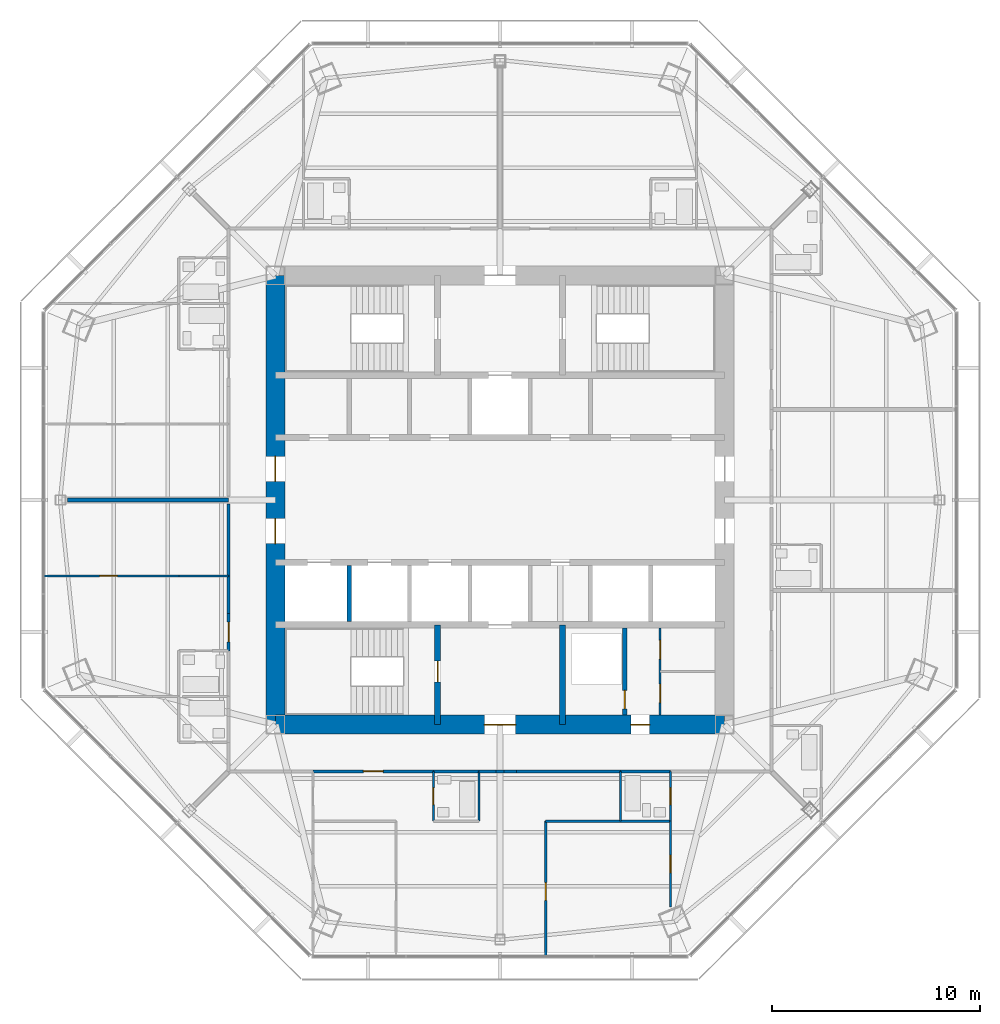
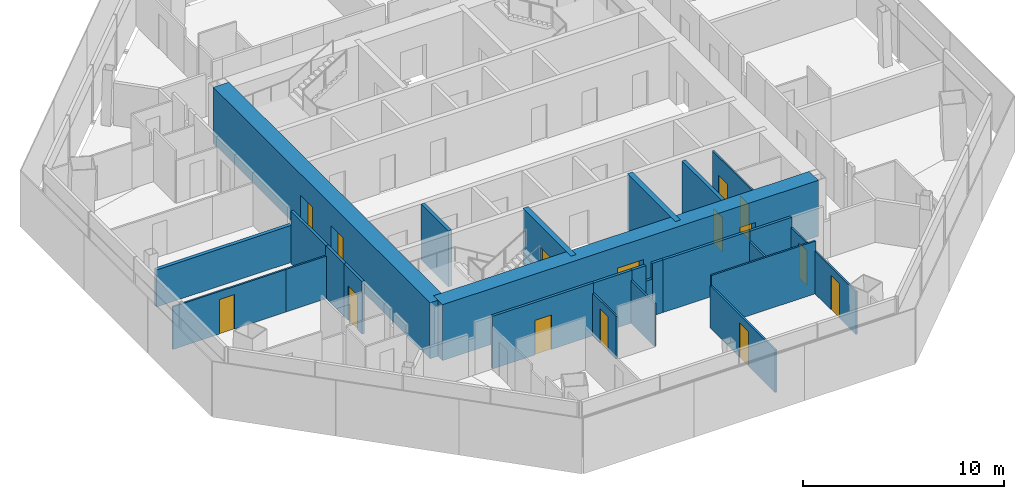
# One storey, part 9 of 15: 27 walls, 15 doors, 15 openings.
"""IFC4 building model written with IfcOpenShell, lengths in metres."""

from ifc_helpers import new_model, si_unit, direction, frame, frame_2d, origin, place, context, subcontext, project, spatial, rectangle, extrude, material, layer, layer_set, type_object, element, fill, save


model = new_model("IFC4")

# Units and contexts
model_context = context("Model", 3, precision=1e-05, world=origin(), true_north=direction((0.0, 1.0)))
body_context = subcontext(model_context, "Body", "Model", "MODEL_VIEW")
ifc_project = project(units=[si_unit("LENGTHUNIT", "METRE"), si_unit("AREAUNIT", "SQUARE_METRE"), si_unit("VOLUMEUNIT", "CUBIC_METRE"), si_unit("PLANEANGLEUNIT", "RADIAN"), si_unit("MASSUNIT", "GRAM", prefix="KILO")], contexts=[model_context])

# Site, building, storey
site_placement = place(None, origin())
site = spatial("IfcSite", under=ifc_project, at=site_placement, CompositionType="ELEMENT")
building_placement = place(site_placement, origin())
building = spatial("IfcBuilding", under=site, at=building_placement, Name="Mashrafa Tower", CompositionType="ELEMENT")
storey_placement = place(building_placement, frame((0.0, 0.0, 214.199951171875)))
storey = spatial("IfcBuildingStorey", under=building, at=storey_placement, Name="L49", CompositionType="ELEMENT", Elevation=214.199951171875)

# Wall
ifc_material_1 = material(Name="Gypsum board on steel studs", Category="steel")
ifc_layer_1 = layer(ifc_material_1, 0.199951171875)
ifc_layer_set_1 = layer_set([ifc_layer_1], Name="Acoustic partition 200 1 hr")
wall_type_1 = type_object("IfcWallType", Name="Acoustic partition 200 1 hr", PredefinedType="PARTITIONING", material=ifc_layer_set_1)
wall_1_placement = place(storey_placement, frame((-20.7900390625, 0.0, 0.0), z_axis=(0.0, 0.0, 1.0), x_axis=(1.0, 0.0, 0.0)))
element("IfcWall", 1, at=wall_1_placement, inside=storey, type_object=wall_type_1, Name="Acoustic wall L49-094", PredefinedType="PARTITIONING", context=body_context, shape_type="SweptSolid", body=[
    extrude(rectangle(XDim=7.739990234375, YDim=0.199951171875, at=frame_2d((3.8701171875, 0.0))), origin(), (0.0, 0.0, 1.0), 2.2529296875),
])

# Wall, opening, door
ifc_material_2 = material(Name="Concrete masonry unit", Category="masonry")
ifc_layer_2 = layer(ifc_material_2, 0.199951171875)
ifc_layer_set_2 = layer_set([ifc_layer_2], Name="Blockwork wall 200 2 hr")
wall_type_2 = type_object("IfcWallType", Name="Blockwork wall 200 2 hr", PredefinedType="PARTITIONING", material=ifc_layer_set_2)
wall_2_placement = place(storey_placement, frame((6.0, -10.35009765625, 0.0), z_axis=(0.0, 0.0, 1.0), x_axis=(0.0, 1.0, 0.0)))
wall_2 = element("IfcWall", 2, at=wall_2_placement, inside=storey, type_object=wall_type_2, Name="Riser enclosure wall L49", PredefinedType="PARTITIONING", context=body_context, shape_type="SweptSolid", body=[
    extrude(rectangle(XDim=4.2001953125, YDim=0.199951171875, at=frame_2d((2.10009765625, 0.0))), origin(), (0.0, 0.0, 1.0), 3.199951171875),
])
opening_1_placement = place(wall_2_placement, frame((0.300048828125, 0.0, 0.0)))
opening_1 = element("IfcOpeningElement", 3, at=opening_1_placement, cuts=wall_2, Name="Opening 49.040", PredefinedType="OPENING", context=body_context, shape_type="SweptSolid", body=[
    extrude(rectangle(XDim=0.89990234375, YDim=2.10009765625, at=frame_2d((0.449951171875, 1.050048828125))), frame((0.0, 0.10986328125, 0.0), z_axis=(0.0, -1.0, 0.0), x_axis=(1.0, 0.0, 0.0)), (0.0, 0.0, 1.0), 0.219970703125),
])
ifc_material_3 = material(Name="Steel door", Category="steel")
door_type_1 = type_object("IfcDoorType", Name="Service door 900 x 2100 90 min", OperationType="USERDEFINED", PredefinedType="DOOR", material=ifc_material_3)
door_1_placement = place(opening_1_placement, origin())
door_1 = element("IfcDoor", 4, at=door_1_placement, inside=storey, type_object=door_type_1, Name="Riser door L49", OperationType="SINGLE_SWING_LEFT", OverallHeight=2.10009765625, OverallWidth=0.89990234375, PredefinedType="DOOR", context=body_context, shape_type="SweptSolid", body=[
    extrude(rectangle(XDim=0.89990234375, YDim=2.10009765625, at=frame_2d((0.449951171875, 1.050048828125))), frame((0.0, 0.02490234375, 0.0), z_axis=(0.0, -1.0, 0.0), x_axis=(1.0, 0.0, 0.0)), (0.0, 0.0, 1.0), 0.050048828125),
])
fill(opening_1, door_1)

ifc_material_4 = material(Name="Concrete C50/60", Category="concrete")
ifc_layer_3 = layer(ifc_material_4, 0.300048828125)
ifc_layer_set_3 = layer_set([ifc_layer_3], Name="Core wall 300 C50/60")
wall_type_3 = type_object("IfcWallType", Name="Core wall 300 C50/60", PredefinedType="SOLIDWALL", material=ifc_layer_set_3)
wall_3_placement = place(storey_placement, frame((-3.0, -6.0, 0.0), z_axis=(0.0, 0.0, 1.0), x_axis=(0.0, -1.0, 0.0)))
wall_3 = element("IfcWall", 5, at=wall_3_placement, inside=storey, type_object=wall_type_3, Name="Core wall CX-SW L49", PredefinedType="SOLIDWALL", context=body_context, shape_type="SweptSolid", body=[
    extrude(rectangle(XDim=4.800048828125, YDim=0.300048828125, at=frame_2d((2.39990234375, 0.0))), origin(), (0.0, 0.0, 1.0), 3.400146484375),
])
opening_2_placement = place(wall_3_placement, frame((1.75, 0.0, 0.0)))
opening_2 = element("IfcOpeningElement", 6, at=opening_2_placement, cuts=wall_3, Name="Opening 49.038", PredefinedType="OPENING", context=body_context, shape_type="SweptSolid", body=[
    extrude(rectangle(XDim=1.0, YDim=2.10009765625, at=frame_2d((0.5, 1.050048828125))), frame((0.0, 0.159912109375, 0.0), z_axis=(0.0, -1.0, 0.0), x_axis=(1.0, 0.0, 0.0)), (0.0, 0.0, 1.0), 0.320068359375),
])
ifc_material_5 = material(Name="Steel door", Category="steel")
door_type_2 = type_object("IfcDoorType", Name="Stair door 1000 x 2100 90 min", OperationType="USERDEFINED", PredefinedType="DOOR", material=ifc_material_5)
door_2_placement = place(opening_2_placement, frame((1.0, 0.0, 0.0), z_axis=(0.0, 0.0, 1.0), x_axis=(-1.0, 0.0, 0.0)))
door_2 = element("IfcDoor", 7, at=door_2_placement, inside=storey, type_object=door_type_2, Name="Stair S3 door L49", OperationType="SINGLE_SWING_RIGHT", OverallHeight=2.10009765625, OverallWidth=1.0, PredefinedType="DOOR", context=body_context, shape_type="SweptSolid", body=[
    extrude(rectangle(XDim=1.0, YDim=2.10009765625, at=frame_2d((0.5, 1.050048828125))), frame((0.0, 0.02490234375, 0.0), z_axis=(0.0, -1.0, 0.0), x_axis=(1.0, 0.0, 0.0)), (0.0, 0.0, 1.0), 0.050048828125),
])
fill(opening_2, door_2)

# Wall
wall_4_placement = place(storey_placement, frame((3.0, -6.0, 0.0), z_axis=(0.0, 0.0, 1.0), x_axis=(0.0, -1.0, 0.0)))
element("IfcWall", 8, at=wall_4_placement, inside=storey, type_object=wall_type_3, Name="Core wall CX-SE L49", PredefinedType="SOLIDWALL", context=body_context, shape_type="SweptSolid", body=[
    extrude(rectangle(XDim=4.800048828125, YDim=0.300048828125, at=frame_2d((2.39990234375, 0.0))), origin(), (0.0, 0.0, 1.0), 3.400146484375),
])

# Wall, openings, doors
ifc_material_6 = material(Name="Concrete C50/60", Category="concrete")
ifc_layer_4 = layer(ifc_material_6, 0.89990234375)
ifc_layer_set_4 = layer_set([ifc_layer_4], Name="Core wall 900 C50/60")
wall_type_4 = type_object("IfcWallType", Name="Core wall 900 C50/60", PredefinedType="SOLIDWALL", material=ifc_layer_set_4)
wall_5_placement = place(storey_placement, frame((-10.800048828125, -10.800048828125, 0.0), z_axis=(0.0, 0.0, 1.0), x_axis=(1.0, 0.0, 0.0)))
wall_5 = element("IfcWall", 9, at=wall_5_placement, inside=storey, type_object=wall_type_4, Name="Core wall CW-S L49", PredefinedType="SOLIDWALL", context=body_context, shape_type="SweptSolid", body=[
    extrude(rectangle(XDim=21.60009765625, YDim=0.89990234375, at=frame_2d((10.800048828125, 0.0))), origin(), (0.0, 0.0, 1.0), 3.400146484375),
])
opening_3_placement = place(wall_5_placement, frame((10.050048828125, 0.0, 0.0)))
opening_3 = element("IfcOpeningElement", 10, at=opening_3_placement, cuts=wall_5, Name="Opening 49.035", PredefinedType="OPENING", context=body_context, shape_type="SweptSolid", body=[
    extrude(rectangle(XDim=1.5, YDim=2.10009765625, at=frame_2d((0.75, 1.050048828125))), frame((0.0, 0.4599609375, 0.0), z_axis=(0.0, -1.0, 0.0), x_axis=(1.0, 0.0, 0.0)), (0.0, 0.0, 1.0), 0.919921875),
])
opening_4_placement = place(wall_5_placement, frame((17.10009765625, 0.0, 0.0)))
opening_4 = element("IfcOpeningElement", 11, at=opening_4_placement, cuts=wall_5, Name="Opening 49.039", PredefinedType="OPENING", context=body_context, shape_type="SweptSolid", body=[
    extrude(rectangle(XDim=0.89990234375, YDim=2.10009765625, at=frame_2d((0.449951171875, 1.050048828125))), frame((0.0, 0.4599609375, 0.0), z_axis=(0.0, -1.0, 0.0), x_axis=(1.0, 0.0, 0.0)), (0.0, 0.0, 1.0), 0.919921875),
])
ifc_material_7 = material(Name="Steel door", Category="steel")
door_type_3 = type_object("IfcDoorType", Name="Lobby door pair 1500 x 2100 90 min", OperationType="DOUBLE_DOOR_SINGLE_SWING", PredefinedType="DOOR", material=ifc_material_7)
door_3_placement = place(opening_3_placement, origin())
door_3 = element("IfcDoor", 12, at=door_3_placement, inside=storey, type_object=door_type_3, Name="Fire-fighting lobby F2 door L49", OperationType="DOUBLE_DOOR_SINGLE_SWING", OverallHeight=2.10009765625, OverallWidth=1.5, PredefinedType="DOOR", context=body_context, shape_type="SweptSolid", body=[
    extrude(rectangle(XDim=1.5, YDim=2.10009765625, at=frame_2d((0.75, 1.050048828125))), frame((0.0, 0.02490234375, 0.0), z_axis=(0.0, -1.0, 0.0), x_axis=(1.0, 0.0, 0.0)), (0.0, 0.0, 1.0), 0.050048828125),
])
fill(opening_3, door_3)
door_4_placement = place(opening_4_placement, frame((0.89990234375, 0.0, 0.0), z_axis=(0.0, 0.0, 1.0), x_axis=(-1.0, 0.0, 0.0)))
door_4 = element("IfcDoor", 13, at=door_4_placement, inside=storey, type_object=door_type_1, Name="Services Lobby L49 door", OperationType="SINGLE_SWING_LEFT", OverallHeight=2.10009765625, OverallWidth=0.89990234375, PredefinedType="DOOR", context=body_context, shape_type="SweptSolid", body=[
    extrude(rectangle(XDim=0.89990234375, YDim=2.10009765625, at=frame_2d((0.449951171875, 1.050048828125))), frame((0.0, 0.02490234375, 0.0), z_axis=(0.0, -1.0, 0.0), x_axis=(1.0, 0.0, 0.0)), (0.0, 0.0, 1.0), 0.050048828125),
])
fill(opening_4, door_4)

wall_6_placement = place(storey_placement, frame((-10.800048828125, 10.800048828125, 0.0), z_axis=(0.0, 0.0, 1.0), x_axis=(0.0, -1.0, 0.0)))
wall_6 = element("IfcWall", 14, at=wall_6_placement, inside=storey, type_object=wall_type_4, Name="Core wall CW-W L49", PredefinedType="SOLIDWALL", context=body_context, shape_type="SweptSolid", body=[
    extrude(rectangle(XDim=21.60009765625, YDim=0.89990234375, at=frame_2d((10.800048828125, 0.0))), origin(), (0.0, 0.0, 1.0), 3.400146484375),
])
opening_5_placement = place(wall_6_placement, frame((8.699951171875, 0.0, 0.0)))
opening_5 = element("IfcOpeningElement", 15, at=opening_5_placement, cuts=wall_6, Name="Opening 49.031", PredefinedType="OPENING", context=body_context, shape_type="SweptSolid", body=[
    extrude(rectangle(XDim=1.199951171875, YDim=2.10009765625, at=frame_2d((0.60009765625, 1.050048828125))), frame((0.0, 0.4599609375, 0.0), z_axis=(0.0, -1.0, 0.0), x_axis=(1.0, 0.0, 0.0)), (0.0, 0.0, 1.0), 0.919921875),
])
opening_6_placement = place(wall_6_placement, frame((11.699951171875, 0.0, 0.0)))
opening_6 = element("IfcOpeningElement", 16, at=opening_6_placement, cuts=wall_6, Name="Opening 49.033", PredefinedType="OPENING", context=body_context, shape_type="SweptSolid", body=[
    extrude(rectangle(XDim=1.199951171875, YDim=2.10009765625, at=frame_2d((0.60009765625, 1.050048828125))), frame((0.0, 0.4599609375, 0.0), z_axis=(0.0, -1.0, 0.0), x_axis=(1.0, 0.0, 0.0)), (0.0, 0.0, 1.0), 0.919921875),
])
ifc_material_8 = material(Name="Steel door", Category="steel")
door_type_4 = type_object("IfcDoorType", Name="Lift hall door 1200 x 2100 90 min", OperationType="USERDEFINED", PredefinedType="DOOR", material=ifc_material_8)
door_5_placement = place(opening_5_placement, frame((1.199951171875, 0.0, 0.0), z_axis=(0.0, 0.0, 1.0), x_axis=(-1.0, 0.0, 0.0)))
door_5 = element("IfcDoor", 17, at=door_5_placement, inside=storey, type_object=door_type_4, Name="Lift hall door west L49", OperationType="SINGLE_SWING_RIGHT", OverallHeight=2.10009765625, OverallWidth=1.199951171875, PredefinedType="DOOR", context=body_context, shape_type="SweptSolid", body=[
    extrude(rectangle(XDim=1.199951171875, YDim=2.10009765625, at=frame_2d((0.60009765625, 1.050048828125))), frame((0.0, 0.02490234375, 0.0), z_axis=(0.0, -1.0, 0.0), x_axis=(1.0, 0.0, 0.0)), (0.0, 0.0, 1.0), 0.050048828125),
])
fill(opening_5, door_5)
door_6_placement = place(opening_6_placement, frame((1.199951171875, 0.0, 0.0), z_axis=(0.0, 0.0, 1.0), x_axis=(-1.0, 0.0, 0.0)))
door_6 = element("IfcDoor", 18, at=door_6_placement, inside=storey, type_object=door_type_4, Name="Lift hall door west L49", OperationType="SINGLE_SWING_LEFT", OverallHeight=2.10009765625, OverallWidth=1.199951171875, PredefinedType="DOOR", context=body_context, shape_type="SweptSolid", body=[
    extrude(rectangle(XDim=1.199951171875, YDim=2.10009765625, at=frame_2d((0.60009765625, 1.050048828125))), frame((0.0, 0.02490234375, 0.0), z_axis=(0.0, -1.0, 0.0), x_axis=(1.0, 0.0, 0.0)), (0.0, 0.0, 1.0), 0.050048828125),
])
fill(opening_6, door_6)

# Walls
ifc_material_9 = material(Name="Gypsum board on steel studs", Category="steel")
ifc_layer_5 = layer(ifc_material_9, 0.14990234375)
ifc_layer_set_5 = layer_set([ifc_layer_5], Name="Corridor partition 150 1 hr")
wall_type_5 = type_object("IfcWallType", Name="Corridor partition 150 1 hr", PredefinedType="PARTITIONING", material=ifc_layer_set_5)
wall_7_placement = place(storey_placement, frame((-13.050048828125, -3.64892578125, 0.0), z_axis=(0.0, 0.0, 1.0), x_axis=(0.0, -1.0, 0.0)))
element("IfcWall", 19, at=wall_7_placement, inside=storey, type_object=wall_type_5, Name="Corridor wall L49-045", PredefinedType="PARTITIONING", context=body_context, shape_type="SweptSolid", body=[
    extrude(rectangle(XDim=1.802001953125, YDim=0.14990234375, at=frame_2d((0.90087890625, 0.0))), origin(), (0.0, 0.0, 1.0), 3.199951171875),
])
wall_8_placement = place(storey_placement, frame((-13.050048828125, -0.18359375, 0.0), z_axis=(0.0, 0.0, 1.0), x_axis=(0.0, -1.0, 0.0)))
element("IfcWall", 20, at=wall_8_placement, inside=storey, type_object=wall_type_5, Name="Corridor wall L49-046", PredefinedType="PARTITIONING", context=body_context, shape_type="SweptSolid", body=[
    extrude(rectangle(XDim=3.46728515625, YDim=0.14990234375, at=frame_2d((1.733642578125, 0.0))), origin(), (0.0, 0.0, 1.0), 3.199951171875),
])

# Wall, opening, door
wall_9_placement = place(storey_placement, frame((-13.050048828125, -5.448974609375, 0.0), z_axis=(0.0, 0.0, 1.0), x_axis=(0.0, -1.0, 0.0)))
wall_9 = element("IfcWall", 21, at=wall_9_placement, inside=storey, type_object=wall_type_5, Name="Corridor wall L49-047", PredefinedType="PARTITIONING", context=body_context, shape_type="SweptSolid", body=[
    extrude(rectangle(XDim=1.802001953125, YDim=0.14990234375, at=frame_2d((0.90087890625, 0.0))), origin(), (0.0, 0.0, 1.0), 3.199951171875),
])
opening_7_placement = place(wall_9_placement, frame((0.426025390625, 0.0, 0.0)))
opening_7 = element("IfcOpeningElement", 22, at=opening_7_placement, cuts=wall_9, Name="Opening 49.022", PredefinedType="OPENING", context=body_context, shape_type="SweptSolid", body=[
    extrude(rectangle(XDim=0.949951171875, YDim=2.10009765625, at=frame_2d((0.47509765625, 1.050048828125))), frame((0.0, 0.0849609375, 0.0), z_axis=(0.0, -1.0, 0.0), x_axis=(1.0, 0.0, 0.0)), (0.0, 0.0, 1.0), 0.169921875),
])
ifc_material_10 = material(Name="Steel door", Category="steel")
door_type_5 = type_object("IfcDoorType", Name="Residence entrance door 950 x 2100 20 min", OperationType="USERDEFINED", PredefinedType="DOOR", material=ifc_material_10)
door_7_placement = place(opening_7_placement, frame((0.949951171875, 0.0, 0.0), z_axis=(0.0, 0.0, 1.0), x_axis=(-1.0, 0.0, 0.0)))
door_7 = element("IfcDoor", 23, at=door_7_placement, inside=storey, type_object=door_type_5, Name="Apartment 4907 Living Room door", OperationType="SINGLE_SWING_RIGHT", OverallHeight=2.10009765625, OverallWidth=0.949951171875, PredefinedType="DOOR", context=body_context, shape_type="SweptSolid", body=[
    extrude(rectangle(XDim=0.949951171875, YDim=2.10009765625, at=frame_2d((0.47509765625, 1.050048828125))), frame((0.0, 0.02490234375, 0.0), z_axis=(0.0, -1.0, 0.0), x_axis=(1.0, 0.0, 0.0)), (0.0, 0.0, 1.0), 0.050048828125),
])
fill(opening_7, door_7)

# Walls
wall_10_placement = place(storey_placement, frame((-3.200927734375, -13.050048828125, 0.0), z_axis=(0.0, 0.0, 1.0), x_axis=(1.0, 0.0, 0.0)))
element("IfcWall", 24, at=wall_10_placement, inside=storey, type_object=wall_type_5, Name="Corridor wall L49-051", PredefinedType="PARTITIONING", context=body_context, shape_type="SweptSolid", body=[
    extrude(rectangle(XDim=2.201904296875, YDim=0.14990234375, at=frame_2d((1.10107421875, 0.0))), origin(), (0.0, 0.0, 1.0), 3.199951171875),
])
wall_11_placement = place(storey_placement, frame((-1.0009765625, -13.050048828125, 0.0), z_axis=(0.0, 0.0, 1.0), x_axis=(1.0, 0.0, 0.0)))
element("IfcWall", 25, at=wall_11_placement, inside=storey, type_object=wall_type_5, Name="Corridor wall L49-052", PredefinedType="PARTITIONING", context=body_context, shape_type="SweptSolid", body=[
    extrude(rectangle(XDim=0.8173828125, YDim=0.14990234375, at=frame_2d((0.40869140625, 0.0))), origin(), (0.0, 0.0, 1.0), 3.199951171875),
])
wall_12_placement = place(storey_placement, frame((0.18359375, -13.050048828125, 0.0), z_axis=(0.0, 0.0, 1.0), x_axis=(1.0, 0.0, 0.0)))
element("IfcWall", 26, at=wall_12_placement, inside=storey, type_object=wall_type_5, Name="Corridor wall L49-053", PredefinedType="PARTITIONING", context=body_context, shape_type="SweptSolid", body=[
    extrude(rectangle(XDim=0.617431640625, YDim=0.14990234375, at=frame_2d((0.30859375, 0.0))), origin(), (0.0, 0.0, 1.0), 3.199951171875),
])
wall_13_placement = place(storey_placement, frame((-0.18359375, -13.050048828125, 0.0), z_axis=(0.0, 0.0, 1.0), x_axis=(1.0, 0.0, 0.0)))
element("IfcWall", 27, at=wall_13_placement, inside=storey, type_object=wall_type_5, Name="Corridor wall L49-054", PredefinedType="PARTITIONING", context=body_context, shape_type="SweptSolid", body=[
    extrude(rectangle(XDim=0.3671875, YDim=0.14990234375, at=frame_2d((0.18359375, 0.0))), origin(), (0.0, 0.0, 1.0), 2.2529296875),
])
wall_14_placement = place(storey_placement, frame((5.799072265625, -13.050048828125, 0.0), z_axis=(0.0, 0.0, 1.0), x_axis=(1.0, 0.0, 0.0)))
element("IfcWall", 28, at=wall_14_placement, inside=storey, type_object=wall_type_5, Name="Corridor wall L49-055", PredefinedType="PARTITIONING", context=body_context, shape_type="SweptSolid", body=[
    extrude(rectangle(XDim=2.40185546875, YDim=0.14990234375, at=frame_2d((1.200927734375, 0.0))), origin(), (0.0, 0.0, 1.0), 3.199951171875),
])

# Wall, opening, door
wall_15_placement = place(storey_placement, frame((-9.0009765625, -13.050048828125, 0.0), z_axis=(0.0, 0.0, 1.0), x_axis=(1.0, 0.0, 0.0)))
wall_15 = element("IfcWall", 29, at=wall_15_placement, inside=storey, type_object=wall_type_5, Name="Corridor wall L49-059", PredefinedType="PARTITIONING", context=body_context, shape_type="SweptSolid", body=[
    extrude(rectangle(XDim=5.802001953125, YDim=0.14990234375, at=frame_2d((2.90087890625, 0.0))), origin(), (0.0, 0.0, 1.0), 3.199951171875),
])
opening_8_placement = place(wall_15_placement, frame((2.426025390625, 0.0, 0.0)))
opening_8 = element("IfcOpeningElement", 30, at=opening_8_placement, cuts=wall_15, Name="Opening 49.028", PredefinedType="OPENING", context=body_context, shape_type="SweptSolid", body=[
    extrude(rectangle(XDim=0.949951171875, YDim=2.10009765625, at=frame_2d((0.47509765625, 1.050048828125))), frame((0.0, 0.0849609375, 0.0), z_axis=(0.0, -1.0, 0.0), x_axis=(1.0, 0.0, 0.0)), (0.0, 0.0, 1.0), 0.169921875),
])
door_8_placement = place(opening_8_placement, frame((0.949951171875, 0.0, 0.0), z_axis=(0.0, 0.0, 1.0), x_axis=(-1.0, 0.0, 0.0)))
door_8 = element("IfcDoor", 31, at=door_8_placement, inside=storey, type_object=door_type_5, Name="Apartment 4908 Living Room door", OperationType="SINGLE_SWING_RIGHT", OverallHeight=2.10009765625, OverallWidth=0.949951171875, PredefinedType="DOOR", context=body_context, shape_type="SweptSolid", body=[
    extrude(rectangle(XDim=0.949951171875, YDim=2.10009765625, at=frame_2d((0.47509765625, 1.050048828125))), frame((0.0, 0.02490234375, 0.0), z_axis=(0.0, -1.0, 0.0), x_axis=(1.0, 0.0, 0.0)), (0.0, 0.0, 1.0), 0.050048828125),
])
fill(opening_8, door_8)

# Walls
wall_16_placement = place(storey_placement, frame((0.799072265625, -13.050048828125, 0.0), z_axis=(0.0, 0.0, 1.0), x_axis=(1.0, 0.0, 0.0)))
element("IfcWall", 32, at=wall_16_placement, inside=storey, type_object=wall_type_5, Name="Corridor wall L49-060", PredefinedType="PARTITIONING", context=body_context, shape_type="SweptSolid", body=[
    extrude(rectangle(XDim=5.001953125, YDim=0.14990234375, at=frame_2d((2.5009765625, 0.0))), origin(), (0.0, 0.0, 1.0), 3.199951171875),
])
ifc_material_11 = material(Name="Gypsum board on steel studs", Category="steel")
ifc_layer_6 = layer(ifc_material_11, 0.10009765625)
ifc_layer_set_6 = layer_set([ifc_layer_6], Name="Partition 100")
wall_type_6 = type_object("IfcWallType", Name="Partition 100", PredefinedType="PARTITIONING", material=ifc_layer_set_6)
wall_17_placement = place(storey_placement, frame((-13.050048828125, -3.64990234375, 0.0), z_axis=(0.0, 0.0, 1.0), x_axis=(-1.0, 0.0, 0.0)))
element("IfcWall", 33, at=wall_17_placement, inside=storey, type_object=wall_type_6, Name="Partition wall L49-104", PredefinedType="PARTITIONING", context=body_context, shape_type="SweptSolid", body=[
    extrude(rectangle(XDim=2.39990234375, YDim=0.10009765625, at=frame_2d((1.199951171875, 0.0))), origin(), (0.0, 0.0, 1.0), 2.590576171875),
])

# Wall, opening, door
wall_18_placement = place(storey_placement, frame((-21.939208984375, -3.64990234375, 0.0), z_axis=(0.0, 0.0, 1.0), x_axis=(1.0, 0.0, 0.0)))
wall_18 = element("IfcWall", 34, at=wall_18_placement, inside=storey, type_object=wall_type_6, Name="Partition wall L49-105", PredefinedType="PARTITIONING", context=body_context, shape_type="SweptSolid", body=[
    extrude(rectangle(XDim=6.490234375, YDim=0.10009765625, at=frame_2d((3.2451171875, 0.0))), origin(), (0.0, 0.0, 1.0), 2.590576171875),
])
opening_9_placement = place(wall_18_placement, frame((2.68212890625, 0.0, 0.0)))
opening_9 = element("IfcOpeningElement", 35, at=opening_9_placement, cuts=wall_18, Name="Opening 49.021", PredefinedType="OPENING", context=body_context, shape_type="SweptSolid", body=[
    extrude(rectangle(XDim=0.85009765625, YDim=2.10009765625, at=frame_2d((0.425048828125, 1.050048828125))), frame((0.0, 0.06005859375, 0.0), z_axis=(0.0, -1.0, 0.0), x_axis=(1.0, 0.0, 0.0)), (0.0, 0.0, 1.0), 0.1201171875),
])
ifc_material_12 = material(Name="Timber door", Category="wood")
door_type_6 = type_object("IfcDoorType", Name="Bedroom door 850 x 2100", OperationType="USERDEFINED", PredefinedType="DOOR", material=ifc_material_12)
door_9_placement = place(opening_9_placement, origin())
door_9 = element("IfcDoor", 36, at=door_9_placement, inside=storey, type_object=door_type_6, Name="Apartment 4907 Bedroom 2 door", OperationType="SINGLE_SWING_LEFT", OverallHeight=2.10009765625, OverallWidth=0.85009765625, PredefinedType="DOOR", context=body_context, shape_type="SweptSolid", body=[
    extrude(rectangle(XDim=0.85009765625, YDim=2.10009765625, at=frame_2d((0.425048828125, 1.050048828125))), frame((0.0, 0.02490234375, 0.0), z_axis=(0.0, -1.0, 0.0), x_axis=(1.0, 0.0, 0.0)), (0.0, 0.0, 1.0), 0.050048828125),
])
fill(opening_9, door_9)

# Wall
wall_19_placement = place(storey_placement, frame((-1.0, -15.449951171875, 0.0), z_axis=(0.0, 0.0, 1.0), x_axis=(0.0, 1.0, 0.0)))
element("IfcWall", 37, at=wall_19_placement, inside=storey, type_object=wall_type_6, Name="Partition wall L49-113", PredefinedType="PARTITIONING", context=body_context, shape_type="SweptSolid", body=[
    extrude(rectangle(XDim=2.39990234375, YDim=0.10009765625, at=frame_2d((1.199951171875, 0.0))), origin(), (0.0, 0.0, 1.0), 2.590576171875),
])

# Wall, opening, door
wall_20_placement = place(storey_placement, frame((-3.199951171875, -13.050048828125, 0.0), z_axis=(0.0, 0.0, 1.0), x_axis=(0.0, -1.0, 0.0)))
wall_20 = element("IfcWall", 38, at=wall_20_placement, inside=storey, type_object=wall_type_6, Name="Partition wall L49-114", PredefinedType="PARTITIONING", context=body_context, shape_type="SweptSolid", body=[
    extrude(rectangle(XDim=2.39990234375, YDim=0.10009765625, at=frame_2d((1.199951171875, 0.0))), origin(), (0.0, 0.0, 1.0), 2.590576171875),
])
opening_10_placement = place(wall_20_placement, frame((0.800048828125, 0.0, 0.0)))
opening_10 = element("IfcOpeningElement", 39, at=opening_10_placement, cuts=wall_20, Name="Opening 49.025", PredefinedType="OPENING", context=body_context, shape_type="SweptSolid", body=[
    extrude(rectangle(XDim=0.800048828125, YDim=2.10009765625, at=frame_2d((0.39990234375, 1.050048828125))), frame((0.0, 0.06005859375, 0.0), z_axis=(0.0, -1.0, 0.0), x_axis=(1.0, 0.0, 0.0)), (0.0, 0.0, 1.0), 0.1201171875),
])
ifc_material_13 = material(Name="Timber door", Category="wood")
door_type_7 = type_object("IfcDoorType", Name="Bathroom door 800 x 2100", OperationType="USERDEFINED", PredefinedType="DOOR", material=ifc_material_13)
door_10_placement = place(opening_10_placement, origin())
door_10 = element("IfcDoor", 40, at=door_10_placement, inside=storey, type_object=door_type_7, Name="Apartment 4908 Bathroom door", OperationType="SINGLE_SWING_RIGHT", OverallHeight=2.10009765625, OverallWidth=0.800048828125, PredefinedType="DOOR", context=body_context, shape_type="SweptSolid", body=[
    extrude(rectangle(XDim=0.800048828125, YDim=2.10009765625, at=frame_2d((0.39990234375, 1.050048828125))), frame((0.0, 0.02490234375, 0.0), z_axis=(0.0, -1.0, 0.0), x_axis=(1.0, 0.0, 0.0)), (0.0, 0.0, 1.0), 0.050048828125),
])
fill(opening_10, door_10)

wall_21_placement = place(storey_placement, frame((8.199951171875, -15.449951171875, 0.0), z_axis=(0.0, 0.0, 1.0), x_axis=(0.0, 1.0, 0.0)))
wall_21 = element("IfcWall", 41, at=wall_21_placement, inside=storey, type_object=wall_type_6, Name="Partition wall L49-116", PredefinedType="PARTITIONING", context=body_context, shape_type="SweptSolid", body=[
    extrude(rectangle(XDim=2.39990234375, YDim=0.10009765625, at=frame_2d((1.199951171875, 0.0))), origin(), (0.0, 0.0, 1.0), 2.590576171875),
])
opening_11_placement = place(wall_21_placement, frame((0.800048828125, 0.0, 0.0)))
opening_11 = element("IfcOpeningElement", 42, at=opening_11_placement, cuts=wall_21, Name="Opening 49.026", PredefinedType="OPENING", context=body_context, shape_type="SweptSolid", body=[
    extrude(rectangle(XDim=0.800048828125, YDim=2.10009765625, at=frame_2d((0.39990234375, 1.050048828125))), frame((0.0, 0.06005859375, 0.0), z_axis=(0.0, -1.0, 0.0), x_axis=(1.0, 0.0, 0.0)), (0.0, 0.0, 1.0), 0.1201171875),
])
door_11_placement = place(opening_11_placement, origin())
door_11 = element("IfcDoor", 43, at=door_11_placement, inside=storey, type_object=door_type_7, Name="Apartment 4908 En-suite Bathroom door", OperationType="SINGLE_SWING_RIGHT", OverallHeight=2.10009765625, OverallWidth=0.800048828125, PredefinedType="DOOR", context=body_context, shape_type="SweptSolid", body=[
    extrude(rectangle(XDim=0.800048828125, YDim=2.10009765625, at=frame_2d((0.39990234375, 1.050048828125))), frame((0.0, 0.02490234375, 0.0), z_axis=(0.0, -1.0, 0.0), x_axis=(1.0, 0.0, 0.0)), (0.0, 0.0, 1.0), 0.050048828125),
])
fill(opening_11, door_11)

# Walls
wall_22_placement = place(storey_placement, frame((5.800048828125, -13.050048828125, 0.0), z_axis=(0.0, 0.0, 1.0), x_axis=(0.0, -1.0, 0.0)))
element("IfcWall", 44, at=wall_22_placement, inside=storey, type_object=wall_type_6, Name="Partition wall L49-117", PredefinedType="PARTITIONING", context=body_context, shape_type="SweptSolid", body=[
    extrude(rectangle(XDim=2.39990234375, YDim=0.10009765625, at=frame_2d((1.199951171875, 0.0))), origin(), (0.0, 0.0, 1.0), 2.590576171875),
])
wall_23_placement = place(storey_placement, frame((8.199951171875, -15.449951171875, 0.0), z_axis=(0.0, 0.0, 1.0), x_axis=(-1.0, 0.0, 0.0)))
element("IfcWall", 45, at=wall_23_placement, inside=storey, type_object=wall_type_6, Name="Partition wall L49-118", PredefinedType="PARTITIONING", context=body_context, shape_type="SweptSolid", body=[
    extrude(rectangle(XDim=6.0, YDim=0.10009765625, at=frame_2d((3.0, 0.0))), origin(), (0.0, 0.0, 1.0), 3.199951171875),
])

# Wall, opening, door
wall_24_placement = place(storey_placement, frame((8.199951171875, -15.448974609375, 0.0), z_axis=(0.0, 0.0, 1.0), x_axis=(0.0, -1.0, 0.0)))
wall_24 = element("IfcWall", 46, at=wall_24_placement, inside=storey, type_object=wall_type_6, Name="Partition wall L49-119", PredefinedType="PARTITIONING", context=body_context, shape_type="SweptSolid", body=[
    extrude(rectangle(XDim=4.127685546875, YDim=0.10009765625, at=frame_2d((2.06396484375, 0.0))), origin(), (0.0, 0.0, 1.0), 2.590576171875),
])
opening_12_placement = place(wall_24_placement, frame((1.638916015625, 0.0, 0.0)))
opening_12 = element("IfcOpeningElement", 47, at=opening_12_placement, cuts=wall_24, Name="Opening 49.027", PredefinedType="OPENING", context=body_context, shape_type="SweptSolid", body=[
    extrude(rectangle(XDim=0.85009765625, YDim=2.10009765625, at=frame_2d((0.425048828125, 1.050048828125))), frame((0.0, 0.06005859375, 0.0), z_axis=(0.0, -1.0, 0.0), x_axis=(1.0, 0.0, 0.0)), (0.0, 0.0, 1.0), 0.1201171875),
])
door_12_placement = place(opening_12_placement, origin())
door_12 = element("IfcDoor", 48, at=door_12_placement, inside=storey, type_object=door_type_6, Name="Apartment 4908 Bedroom 3 door", OperationType="SINGLE_SWING_RIGHT", OverallHeight=2.10009765625, OverallWidth=0.85009765625, PredefinedType="DOOR", context=body_context, shape_type="SweptSolid", body=[
    extrude(rectangle(XDim=0.85009765625, YDim=2.10009765625, at=frame_2d((0.425048828125, 1.050048828125))), frame((0.0, 0.02490234375, 0.0), z_axis=(0.0, -1.0, 0.0), x_axis=(1.0, 0.0, 0.0)), (0.0, 0.0, 1.0), 0.050048828125),
])
fill(opening_12, door_12)

wall_25_placement = place(storey_placement, frame((2.199951171875, -21.939208984375, 0.0), z_axis=(0.0, 0.0, 1.0), x_axis=(0.0, 1.0, 0.0)))
wall_25 = element("IfcWall", 49, at=wall_25_placement, inside=storey, type_object=wall_type_6, Name="Partition wall L49-121", PredefinedType="PARTITIONING", context=body_context, shape_type="SweptSolid", body=[
    extrude(rectangle(XDim=6.4892578125, YDim=0.10009765625, at=frame_2d((3.24462890625, 0.0))), origin(), (0.0, 0.0, 1.0), 2.590576171875),
])
opening_13_placement = place(wall_25_placement, frame((2.681640625, 0.0, 0.0)))
opening_13 = element("IfcOpeningElement", 50, at=opening_13_placement, cuts=wall_25, Name="Opening 49.029", PredefinedType="OPENING", context=body_context, shape_type="SweptSolid", body=[
    extrude(rectangle(XDim=0.85009765625, YDim=2.10009765625, at=frame_2d((0.425048828125, 1.050048828125))), frame((0.0, 0.06005859375, 0.0), z_axis=(0.0, -1.0, 0.0), x_axis=(1.0, 0.0, 0.0)), (0.0, 0.0, 1.0), 0.1201171875),
])
door_13_placement = place(opening_13_placement, frame((0.85009765625, 0.0, 0.0), z_axis=(0.0, 0.0, 1.0), x_axis=(-1.0, 0.0, 0.0)))
door_13 = element("IfcDoor", 51, at=door_13_placement, inside=storey, type_object=door_type_6, Name="Apartment 4908 Dining Room door", OperationType="SINGLE_SWING_RIGHT", OverallHeight=2.10009765625, OverallWidth=0.85009765625, PredefinedType="DOOR", context=body_context, shape_type="SweptSolid", body=[
    extrude(rectangle(XDim=0.85009765625, YDim=2.10009765625, at=frame_2d((0.425048828125, 1.050048828125))), frame((0.0, 0.02490234375, 0.0), z_axis=(0.0, -1.0, 0.0), x_axis=(1.0, 0.0, 0.0)), (0.0, 0.0, 1.0), 0.050048828125),
])
fill(opening_13, door_13)

# Wall, openings, doors
ifc_material_14 = material(Name="Gypsum board on steel studs", Category="steel")
ifc_layer_7 = layer(ifc_material_14, 0.10009765625)
ifc_layer_set_7 = layer_set([ifc_layer_7], Name="Partition 100 1 hr")
wall_type_7 = type_object("IfcWallType", Name="Partition 100 1 hr", PredefinedType="PARTITIONING", material=ifc_layer_set_7)
wall_26_placement = place(storey_placement, frame((7.699951171875, -10.35009765625, 0.0), z_axis=(0.0, 0.0, 1.0), x_axis=(0.0, 1.0, 0.0)))
wall_26 = element("IfcWall", 52, at=wall_26_placement, inside=storey, type_object=wall_type_7, Name="Services lobby partition A L49", PredefinedType="PARTITIONING", context=body_context, shape_type="SweptSolid", body=[
    extrude(rectangle(XDim=4.2001953125, YDim=0.10009765625, at=frame_2d((2.10009765625, 0.0))), origin(), (0.0, 0.0, 1.0), 3.199951171875),
])
opening_14_placement = place(wall_26_placement, frame((2.699951171875, 0.0, 0.0)))
opening_14 = element("IfcOpeningElement", 53, at=opening_14_placement, cuts=wall_26, Name="Opening 49.041", PredefinedType="OPENING", context=body_context, shape_type="SweptSolid", body=[
    extrude(rectangle(XDim=0.89990234375, YDim=2.10009765625, at=frame_2d((0.449951171875, 1.050048828125))), frame((0.0, 0.06005859375, 0.0), z_axis=(0.0, -1.0, 0.0), x_axis=(1.0, 0.0, 0.0)), (0.0, 0.0, 1.0), 0.1201171875),
])
opening_15_placement = place(wall_26_placement, frame((0.60009765625, 0.0, 0.0)))
opening_15 = element("IfcOpeningElement", 54, at=opening_15_placement, cuts=wall_26, Name="Opening 49.042", PredefinedType="OPENING", context=body_context, shape_type="SweptSolid", body=[
    extrude(rectangle(XDim=0.89990234375, YDim=2.10009765625, at=frame_2d((0.449951171875, 1.050048828125))), frame((0.0, 0.06005859375, 0.0), z_axis=(0.0, -1.0, 0.0), x_axis=(1.0, 0.0, 0.0)), (0.0, 0.0, 1.0), 0.1201171875),
])
ifc_material_15 = material(Name="Timber door", Category="wood")
door_type_8 = type_object("IfcDoorType", Name="Store door 900 x 2100", OperationType="USERDEFINED", PredefinedType="DOOR", material=ifc_material_15)
door_14_placement = place(opening_14_placement, frame((0.89990234375, 0.0, 0.0), z_axis=(0.0, 0.0, 1.0), x_axis=(-1.0, 0.0, 0.0)))
door_14 = element("IfcDoor", 55, at=door_14_placement, inside=storey, type_object=door_type_8, Name="Communications Room L49 door", OperationType="SINGLE_SWING_RIGHT", OverallHeight=2.10009765625, OverallWidth=0.89990234375, PredefinedType="DOOR", context=body_context, shape_type="SweptSolid", body=[
    extrude(rectangle(XDim=0.89990234375, YDim=2.10009765625, at=frame_2d((0.449951171875, 1.050048828125))), frame((0.0, 0.02490234375, 0.0), z_axis=(0.0, -1.0, 0.0), x_axis=(1.0, 0.0, 0.0)), (0.0, 0.0, 1.0), 0.050048828125),
])
fill(opening_14, door_14)
door_15_placement = place(opening_15_placement, frame((0.89990234375, 0.0, 0.0), z_axis=(0.0, 0.0, 1.0), x_axis=(-1.0, 0.0, 0.0)))
door_15 = element("IfcDoor", 56, at=door_15_placement, inside=storey, type_object=door_type_8, Name="Building Services Store L49 door", OperationType="SINGLE_SWING_LEFT", OverallHeight=2.10009765625, OverallWidth=0.89990234375, PredefinedType="DOOR", context=body_context, shape_type="SweptSolid", body=[
    extrude(rectangle(XDim=0.89990234375, YDim=2.10009765625, at=frame_2d((0.449951171875, 1.050048828125))), frame((0.0, 0.02490234375, 0.0), z_axis=(0.0, -1.0, 0.0), x_axis=(1.0, 0.0, 0.0)), (0.0, 0.0, 1.0), 0.050048828125),
])
fill(opening_15, door_15)

# Wall
ifc_material_16 = material(Name="Gypsum shaft wall on steel studs", Category="steel")
ifc_layer_8 = layer(ifc_material_16, 0.199951171875)
ifc_layer_set_8 = layer_set([ifc_layer_8], Name="Shaft divider wall 200 2 hr")
wall_type_8 = type_object("IfcWallType", Name="Shaft divider wall 200 2 hr", PredefinedType="PARTITIONING", material=ifc_layer_set_8)
wall_27_placement = place(storey_placement, frame((-7.25, -5.85009765625, 0.0), z_axis=(0.0, 0.0, 1.0), x_axis=(0.0, 1.0, 0.0)))
element("IfcWall", 57, at=wall_27_placement, inside=storey, type_object=wall_type_8, Name="Shaft divider wall S1 L49", PredefinedType="PARTITIONING", context=body_context, shape_type="SweptSolid", body=[
    extrude(rectangle(XDim=2.7001953125, YDim=0.199951171875, at=frame_2d((1.35009765625, 0.0))), origin(), (0.0, 0.0, 1.0), 3.400146484375),
])

save(model, "model.ifc")
